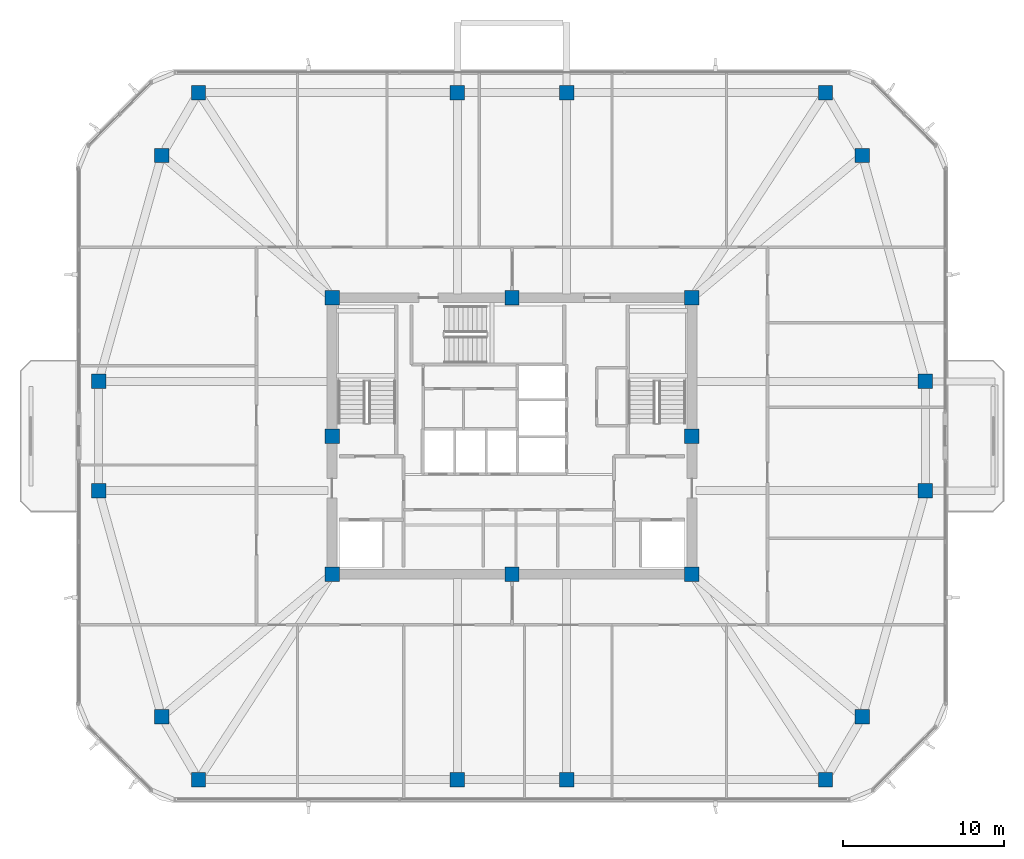
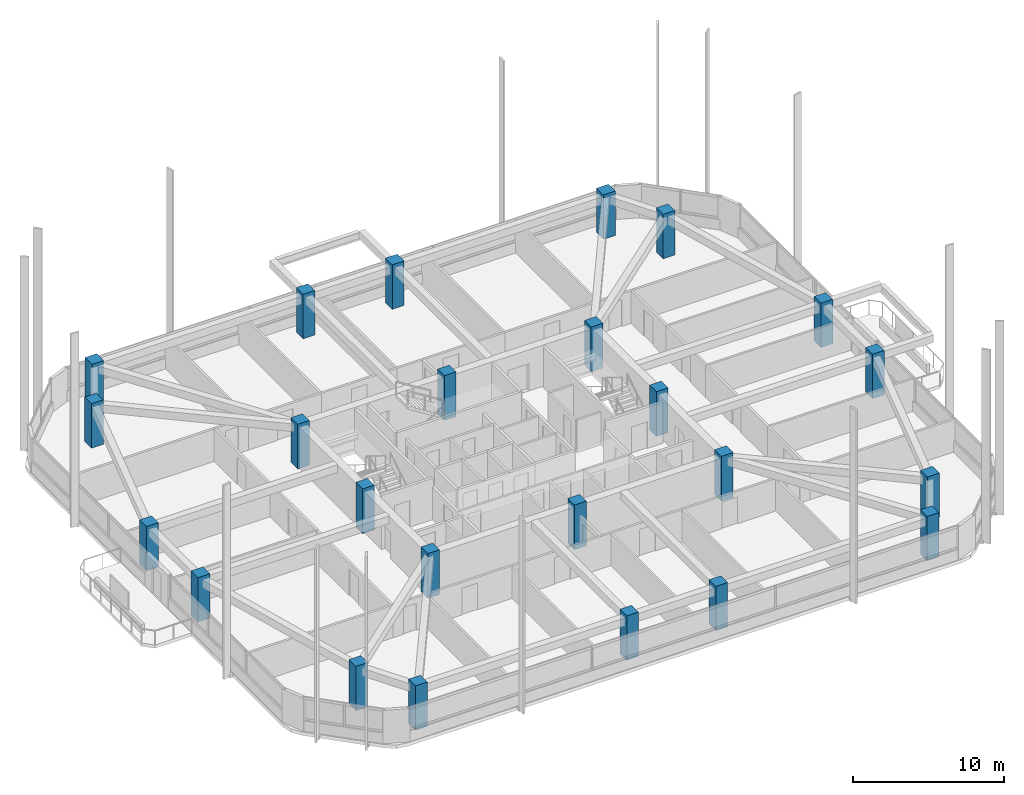
# One storey, part 1 of 17: 24 columns.
"""IFC4 building model written with IfcOpenShell, lengths in metres."""

import ifcopenshell
import ifcopenshell.guid

model = None  # the IFC model being written
_history = None  # IfcOwnerHistory: only IFC2X3 demands one
_inside = {}  # id of a spatial element -> (the spatial element, [elements in it])
_under = {}  # id of a project, library or spatial element -> (it, [spatial elements below it])
_declared = {}  # id of a project -> (the project, [libraries it declares])
_typed = {}  # id of a type object -> (the type object, [elements of that type])
_made_of = {}  # id of a material, layer set ... -> (it, [elements and type objects made of it])


def new_model(schema):
    """Start an empty IFC model of exactly this schema.

    Asked for "IFC4X3", IfcOpenShell would pick the latest addendum, in which some entities
    have other attributes; the version numbers below select the first issue.
    IFC2X3 requires an IfcOwnerHistory on every rooted entity: one is made here for all.
    """
    global model, _history
    if schema == "IFC4X3":
        model = ifcopenshell.file(schema_version=(4, 3, 0, 0))
    else:
        model = ifcopenshell.file(schema=schema)
    _inside.clear()
    _under.clear()
    _declared.clear()
    _typed.clear()
    _made_of.clear()
    _history = None
    if model.schema == "IFC2X3":
        org = make("IfcOrganization", Name="unknown")
        user = make(
            "IfcPersonAndOrganization",
            ThePerson=make("IfcPerson", FamilyName="unknown"),
            TheOrganization=org,
        )
        app = make(
            "IfcApplication",
            ApplicationDeveloper=org,
            Version="unknown",
            ApplicationFullName="unknown",
            ApplicationIdentifier="unknown",
        )
        _history = make(
            "IfcOwnerHistory",
            OwningUser=user,
            OwningApplication=app,
            ChangeAction="ADDED",
            CreationDate=0,
        )
    return model


def make(cls, **values):
    """One entity of the class cls with the attributes given. An attribute that is None is left unset."""
    return model.create_entity(
        cls, **{name: value for name, value in values.items() if value is not None}
    )


def rooted(cls, **values):
    """An entity with a GlobalId (a new one), such as an element, a storey or a relation."""
    return make(cls, GlobalId=ifcopenshell.guid.new(), OwnerHistory=_history, **values)


def si_unit(unit_type, name, prefix=None):
    """IfcSIUnit, for example si_unit("LENGTHUNIT", "METRE", prefix="MILLI")."""
    return make("IfcSIUnit", UnitType=unit_type, Prefix=prefix, Name=name)


def derived_unit(unit_type, elements):
    """IfcDerivedUnit: a product of units, each with its exponent."""
    return make(
        "IfcDerivedUnit",
        Elements=[
            make("IfcDerivedUnitElement", Unit=unit, Exponent=power)
            for unit, power in elements
        ],
        UnitType=unit_type,
    )


def assignment(units):
    """IfcUnitAssignment: the units of a project."""
    return None if units is None else make("IfcUnitAssignment", Units=units)


def point(xyz):
    """IfcCartesianPoint."""
    return None if xyz is None else make("IfcCartesianPoint", Coordinates=xyz)


def direction(xyz):
    """IfcDirection."""
    return None if xyz is None else make("IfcDirection", DirectionRatios=xyz)


def frame(location, z_axis=None, x_axis=None):
    """IfcAxis2Placement3D, a coordinate frame: its origin and axes. An axis left out is left unset."""
    return make(
        "IfcAxis2Placement3D",
        Location=point(location),
        Axis=direction(z_axis),
        RefDirection=direction(x_axis),
    )


def frame_2d(location, x_axis=None):
    """IfcAxis2Placement2D, a coordinate frame in the plane: its origin and x axis."""
    return make(
        "IfcAxis2Placement2D", Location=point(location), RefDirection=direction(x_axis)
    )


def origin():
    """The frame at (0, 0, 0) with its axes left unset."""
    return frame((0.0, 0.0, 0.0))


def origin_2d():
    """The frame at (0, 0) in the plane with its x axis left unset."""
    return frame_2d((0.0, 0.0))


def place(relative_to, where):
    """IfcLocalPlacement: puts the frame where relative to a parent placement (None: the world)."""
    return make(
        "IfcLocalPlacement", PlacementRelTo=relative_to, RelativePlacement=where
    )


def context(
    kind, dimensions, precision=None, world=None, true_north=None, identifier=None
):
    """IfcGeometricRepresentationContext, for example the 3D "Model" context."""
    return make(
        "IfcGeometricRepresentationContext",
        ContextIdentifier=identifier,
        ContextType=kind,
        CoordinateSpaceDimension=dimensions,
        Precision=precision,
        WorldCoordinateSystem=world,
        TrueNorth=true_north,
    )


def subcontext(parent, identifier, kind, view, scale=None):
    """IfcGeometricRepresentationSubContext, for example "Body" below "Model"."""
    return make(
        "IfcGeometricRepresentationSubContext",
        ContextIdentifier=identifier,
        ContextType=kind,
        ParentContext=parent,
        TargetScale=scale,
        TargetView=view,
    )


def project(units=None, contexts=None):
    """IfcProject with its units and contexts."""
    return rooted(
        "IfcProject",
        Name="project",
        RepresentationContexts=contexts,
        UnitsInContext=assignment(units),
    )


def spatial(cls, under=None, at=None, **own):
    """A site, building, storey or space (cls), placed at a placement, below another one or the project."""
    s = rooted(cls, ObjectPlacement=at, **own)
    if under is not None:
        _under.setdefault(under.id(), (under, []))[1].append(s)
    return s


def profile(cls, at=None, kind="AREA", **sizes):
    """A parametric profile (cls). Its sizes go by their IFC names, for example OverallWidth=200.0."""
    return make(cls, ProfileType=kind, Position=at, **sizes)


def rectangle(**sizes):
    """IfcRectangleProfileDef."""
    return profile("IfcRectangleProfileDef", **sizes)


def extrude(swept, where, along, depth):
    """IfcExtrudedAreaSolid: the profile swept, set in the frame where, extruded along a direction by depth."""
    return make(
        "IfcExtrudedAreaSolid",
        SweptArea=swept,
        Position=where,
        ExtrudedDirection=direction(along),
        Depth=depth,
    )


def shape(context_of_items, identifier, shape_type, items):
    """IfcShapeRepresentation: the items that make up one representation, for example the "Body"."""
    return make(
        "IfcShapeRepresentation",
        ContextOfItems=context_of_items,
        RepresentationIdentifier=identifier,
        RepresentationType=shape_type,
        Items=items,
    )


def material(Name=None, Category=None):
    """IfcMaterial."""
    return make("IfcMaterial", Name=Name, Category=Category)


def material_profile(
    of_material, cross_section, Name=None, Category=None, Priority=None
):
    """IfcMaterialProfile: a cross section and its material."""
    return make(
        "IfcMaterialProfile",
        Name=Name,
        Material=of_material,
        Profile=cross_section,
        Priority=Priority,
        Category=Category,
    )


def profile_set(profiles, Name=None, composite=None):
    """IfcMaterialProfileSet."""
    return make(
        "IfcMaterialProfileSet",
        Name=Name,
        MaterialProfiles=profiles,
        CompositeProfile=composite,
    )


def made_of(thing, what):
    """Note that an element or type object is made of a material, layer set ...; save() writes the relation."""
    if what is not None:
        _made_of.setdefault(what.id(), (what, []))[1].append(thing)
    return thing


def type_object(cls, material=None, **own):
    """A type object (cls), such as IfcWallType, which elements share."""
    return made_of(rooted(cls, **own), material)


def element(
    cls,
    number,
    at=None,
    inside=None,
    cuts=None,
    type_object=None,
    material=None,
    context=None,
    identifier="Body",
    shape_type=None,
    held_by="IfcProductDefinitionShape",
    body=None,
    shapes=None,
    **own,
):
    """One element of the class cls, such as IfcWall. Its Tag is "e" and its number.

    at: its placement. inside: the storey or other place that contains it. cuts: it is an
    opening in that element (IfcRelVoidsElement). A single representation is given by context,
    identifier, shape_type and body (its items); several are given by shapes. held_by: the class
    of the entity that holds the representations. save() writes the other relations.
    """
    e = rooted(cls, Tag="e%d" % number, ObjectPlacement=at, **own)
    if body is not None:
        shapes = [shape(context, identifier, shape_type, body)]
    if shapes is not None:
        e.Representation = make(held_by, Representations=shapes)
    if inside is not None:
        _inside.setdefault(inside.id(), (inside, []))[1].append(e)
    if cuts is not None:
        rooted(
            "IfcRelVoidsElement", RelatingBuildingElement=cuts, RelatedOpeningElement=e
        )
    if type_object is not None:
        _typed.setdefault(type_object.id(), (type_object, []))[1].append(e)
    return made_of(e, material)


def aggregate(whole, parts):
    """IfcRelAggregates: a whole, such as a stair, and the parts it consists of."""
    return rooted("IfcRelAggregates", RelatingObject=whole, RelatedObjects=parts)


def save(model, path):
    """Write the relations noted so far, then the file.

    IfcRelAggregates (storeys below a building ...), IfcRelContainedInSpatialStructure (elements
    in a storey), IfcRelDefinesByType, IfcRelAssociatesMaterial and IfcRelDeclares: one each for
    every whole, place, type object, material and project.
    """
    for whole, parts in _under.values():
        aggregate(whole, parts)
    for where, things in _inside.values():
        rooted(
            "IfcRelContainedInSpatialStructure",
            RelatedElements=things,
            RelatingStructure=where,
        )
    for kind, things in _typed.values():
        rooted("IfcRelDefinesByType", RelatedObjects=things, RelatingType=kind)
    for what, things in _made_of.values():
        rooted("IfcRelAssociatesMaterial", RelatedObjects=things, RelatingMaterial=what)
    for by, libraries in _declared.values():
        rooted("IfcRelDeclares", RelatingContext=by, RelatedDefinitions=libraries)
    model.write(path)


model = new_model("IFC4")

# Units and contexts
model_context = context("Model", 3, precision=1e-05, world=origin(), true_north=direction((0.0, 1.0)))
body_context = subcontext(model_context, "Body", "Model", "MODEL_VIEW")
ifc_project = project(units=[si_unit("LENGTHUNIT", "METRE"), si_unit("AREAUNIT", "SQUARE_METRE"), si_unit("VOLUMEUNIT", "CUBIC_METRE"), si_unit("PLANEANGLEUNIT", "RADIAN"), si_unit("MASSUNIT", "GRAM", prefix="KILO"), derived_unit("THERMALTRANSMITTANCEUNIT", [(si_unit("POWERUNIT", "WATT"), 1), (si_unit("LENGTHUNIT", "METRE"), -2), (si_unit("THERMODYNAMICTEMPERATUREUNIT", "KELVIN"), -1)])], contexts=[model_context])

# Site, building, storey
site_placement = place(None, origin())
site = spatial("IfcSite", under=ifc_project, at=site_placement, CompositionType="ELEMENT")
building_placement = place(site_placement, origin())
building = spatial("IfcBuilding", under=site, at=building_placement, Name="Koralith Skygarden Medical Center", CompositionType="ELEMENT")
storey_placement = place(building_placement, frame((0.0, 0.0, 221.580078125)))
storey = spatial("IfcBuildingStorey", under=building, at=storey_placement, Name="L57", CompositionType="ELEMENT", Elevation=221.580078125)

# Columns
ifc_material = material(Name="Concrete C55/67", Category="concrete")
ifc_material_profile_1 = material_profile(ifc_material, rectangle(XDim=0.89990234375, YDim=0.89990234375, at=origin_2d()), Name="RC900X900")
ifc_profile_set_1 = profile_set([ifc_material_profile_1], Name="Concrete C55/67")
column_type_1 = type_object("IfcColumnType", Name="Core Column C55 RC900", PredefinedType="COLUMN", material=ifc_profile_set_1)
for number, where, z_axis, x_axis, name in (
    (1, (25.800048828125, 17.300048828125, 0.0), (0.0, 0.0, 1.0), (1.0, 0.0, 0.0), "L57 Core Column CC-01"),
    (2, (37.0, 17.300048828125, 0.0), (0.0, 0.0, 1.0), (1.0, 0.0, 0.0), "L57 Core Column CC-02"),
    (3, (48.199951171875, 17.300048828125, 0.0), (0.0, 0.0, 1.0), (1.0, 0.0, 0.0), "L57 Core Column CC-03"),
    (4, (48.199951171875, 25.89990234375, 0.0), (0.0, 0.0, 1.0), (1.0, 0.0, 0.0), "L57 Core Column CC-04"),
    (5, (48.199951171875, 34.5, 0.0), (0.0, 0.0, 1.0), (1.0, 0.0, 0.0), "L57 Core Column CC-05"),
    (6, (37.0, 34.5, 0.0), (0.0, 0.0, 1.0), (1.0, 0.0, 0.0), "L57 Core Column CC-06"),
    (7, (25.800048828125, 34.5, 0.0), (0.0, 0.0, 1.0), (1.0, 0.0, 0.0), "L57 Core Column CC-07"),
    (8, (25.800048828125, 25.89990234375, 0.0), (0.0, 0.0, 1.0), (1.0, 0.0, 0.0), "L57 Core Column CC-08"),
):
    element("IfcColumn", number, at=place(storey_placement, frame(where, z_axis=z_axis, x_axis=x_axis)), inside=storey, type_object=column_type_1, Name=name, PredefinedType="COLUMN", context=body_context, shape_type="SweptSolid", body=[
        extrude(rectangle(XDim=0.89990234375, YDim=0.89990234375, at=origin_2d()), origin(), (0.0, 0.0, 1.0), 3.599853515625),
    ])
ifc_material_profile_2 = material_profile(ifc_material, rectangle(XDim=0.89990234375, YDim=0.89990234375, at=origin_2d()), Name="RC900X900")
ifc_profile_set_2 = profile_set([ifc_material_profile_2], Name="Concrete C55/67")
column_type_2 = type_object("IfcColumnType", Name="Zone 4 Flare Mega-Column C55 RC900", PredefinedType="COLUMN", material=ifc_profile_set_2)
for number, where, z_axis, x_axis, name in (
    (9, (11.278076171875, 22.5, 0.02099609375), (0.0, 0.0, 1.0), (1.0, 0.0, 0.0), "L57 Perimeter Mega-Column MC-01"),
    (10, (15.197998046875, 8.43994140625, 0.02099609375), (0.0, 0.0, 1.0), (1.0, 0.0, 0.0), "L57 Perimeter Mega-Column MC-02"),
    (11, (17.489990234375, 4.52001953125, 0.02099609375), (0.0, 0.0, 1.0), (1.0, 0.0, 0.0), "L57 Perimeter Mega-Column MC-03"),
    (12, (33.60009765625, 4.52001953125, 0.02099609375), (0.0, 0.0, 1.0), (1.0, 0.0, 0.0), "L57 Perimeter Mega-Column MC-04"),
    (13, (40.39990234375, 4.52001953125, 0.02099609375), (0.0, 0.0, 1.0), (1.0, 0.0, 0.0), "L57 Perimeter Mega-Column MC-05"),
    (14, (56.510009765625, 4.52001953125, 0.02099609375), (0.0, 0.0, 1.0), (1.0, 0.0, 0.0), "L57 Perimeter Mega-Column MC-06"),
    (15, (58.802001953125, 8.43994140625, 0.02099609375), (0.0, 0.0, 1.0), (1.0, 0.0, 0.0), "L57 Perimeter Mega-Column MC-07"),
    (16, (62.721923828125, 22.5, 0.02099609375), (0.0, 0.0, 1.0), (1.0, 0.0, 0.0), "L57 Perimeter Mega-Column MC-08"),
    (17, (62.721923828125, 29.300048828125, 0.02099609375), (0.0, 0.0, 1.0), (1.0, 0.0, 0.0), "L57 Perimeter Mega-Column MC-09"),
    (18, (58.802001953125, 43.360107421875, 0.02099609375), (0.0, 0.0, 1.0), (1.0, 0.0, 0.0), "L57 Perimeter Mega-Column MC-10"),
    (19, (56.510009765625, 47.280029296875, 0.02099609375), (0.0, 0.0, 1.0), (1.0, 0.0, 0.0), "L57 Perimeter Mega-Column MC-11"),
    (20, (40.39990234375, 47.280029296875, 0.02099609375), (0.0, 0.0, 1.0), (1.0, 0.0, 0.0), "L57 Perimeter Mega-Column MC-12"),
    (21, (33.60009765625, 47.280029296875, 0.02099609375), (0.0, 0.0, 1.0), (1.0, 0.0, 0.0), "L57 Perimeter Mega-Column MC-13"),
    (22, (17.489990234375, 47.280029296875, 0.02099609375), (0.0, 0.0, 1.0), (1.0, 0.0, 0.0), "L57 Perimeter Mega-Column MC-14"),
    (23, (15.197998046875, 43.360107421875, 0.02099609375), (0.0, 0.0, 1.0), (1.0, 0.0, 0.0), "L57 Perimeter Mega-Column MC-15"),
    (24, (11.278076171875, 29.300048828125, 0.02099609375), (0.0, 0.0, 1.0), (1.0, 0.0, 0.0), "L57 Perimeter Mega-Column MC-16"),
):
    element("IfcColumn", number, at=place(storey_placement, frame(where, z_axis=z_axis, x_axis=x_axis)), inside=storey, type_object=column_type_2, Name=name, PredefinedType="COLUMN", context=body_context, shape_type="SweptSolid", body=[
        extrude(rectangle(XDim=0.89990234375, YDim=0.89990234375, at=origin_2d()), origin(), (0.0, 0.0, 1.0), 3.578857421875),
    ])

save(model, "model.ifc")
